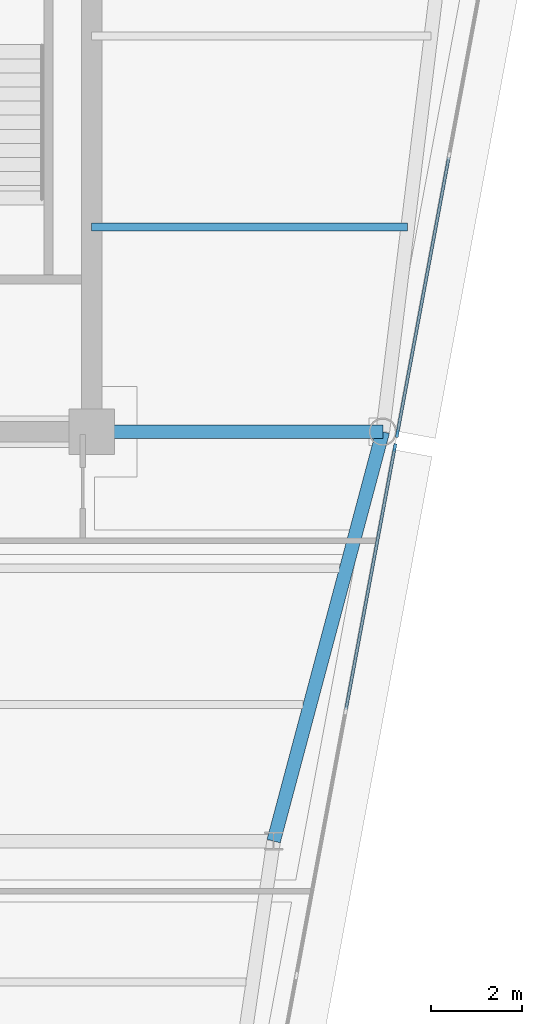
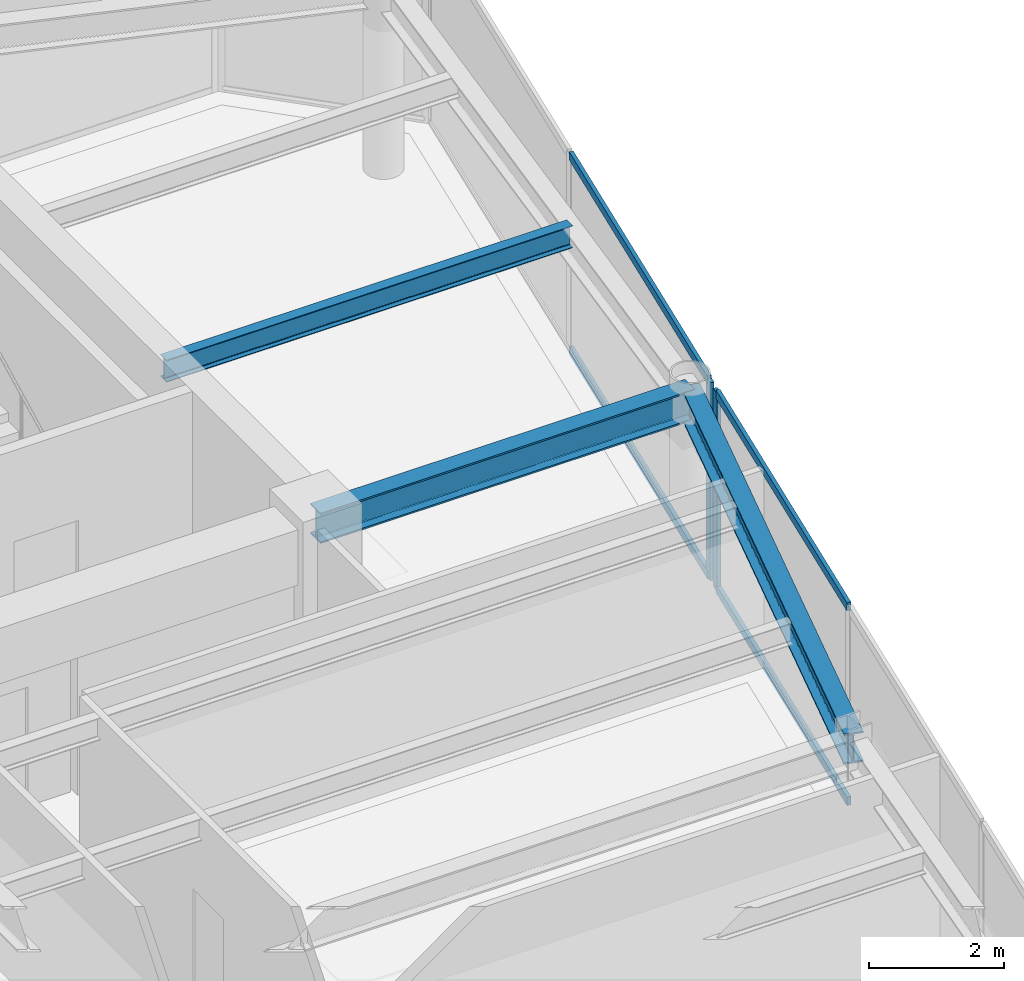
# One storey, part 6 of 19: 6 members, 3 beams, 2 elements without a shape of their own.
"""IFC4 building model written with IfcOpenShell, lengths in metres."""

from ifc_helpers import new_model, si_unit, direction, frame, origin, origin_2d, place, context, subcontext, project, spatial, rectangle, i_section, extrude, source, transform, mapped, material, layer, layer_set, material_profile, profile_set, type_object, element, aggregate, save


model = new_model("IFC4")

# Units and contexts
model_context = context("Model", 3, precision=1e-05, world=origin(), true_north=direction((0.0, 1.0)))
body_context = subcontext(model_context, "Body", "Model", "MODEL_VIEW")
ifc_project = project(units=[si_unit("LENGTHUNIT", "METRE"), si_unit("AREAUNIT", "SQUARE_METRE"), si_unit("VOLUMEUNIT", "CUBIC_METRE"), si_unit("PLANEANGLEUNIT", "RADIAN"), si_unit("MASSUNIT", "GRAM", prefix="KILO")], contexts=[model_context])

# Site, building, storey
site_placement = place(None, origin())
site = spatial("IfcSite", under=ifc_project, at=site_placement, CompositionType="ELEMENT")
building_placement = place(site_placement, origin())
building = spatial("IfcBuilding", under=site, at=building_placement, Name="Vaeldorn Concourse Tower", CompositionType="ELEMENT")
storey_placement = place(building_placement, frame((0.0, 0.0, 249.800048828125)))
storey = spatial("IfcBuildingStorey", under=building, at=storey_placement, Name="L64", CompositionType="ELEMENT", Elevation=249.800048828125)

# Beams
ifc_material_1 = material(Name="Steel S355", Category="steel")
ifc_material_profile_1 = material_profile(ifc_material_1, i_section(OverallWidth=0.179931640625, OverallDepth=0.39990234375, WebThickness=0.008544921875, FlangeThickness=0.013427734375, FilletRadius=0.02099609375, at=origin_2d()), Name="IPE 400")
ifc_profile_set_1 = profile_set([ifc_material_profile_1], Name="Steel S355")
beam_type_1 = type_object("IfcBeamType", Name="BM-JS-IPE400", PredefinedType="JOIST", material=ifc_profile_set_1)
shared_shape_1 = source(origin(), body_context, "Body", "SweptSolid", [
    extrude(i_section(OverallWidth=0.179931640625, OverallDepth=0.39990234375, WebThickness=0.008544921875, FlangeThickness=0.013427734375, FilletRadius=0.02099609375, at=origin_2d()), origin(), (0.0, 0.0, 1.0), 6.94775390625),
])
beam_1_placement = place(storey_placement, frame((54.0, 41.0, 3.3798828125), z_axis=(1.0, 0.0, 0.0), x_axis=(0.0, 1.0, 0.0)))
element("IfcBeam", 1, at=beam_1_placement, inside=storey, type_object=beam_type_1, Name="Beam JS-L64-NE-410", PredefinedType="JOIST", context=body_context, shape_type="MappedRepresentation", body=[
    mapped(shared_shape_1, transform((0.0, 0.0, 0.0), scale=1.0)),
])
ifc_material_profile_2 = material_profile(ifc_material_1, i_section(OverallWidth=0.300048828125, OverallDepth=0.550048828125, WebThickness=0.014892578125, FlangeThickness=0.029052734375, FilletRadius=0.027099609375, at=origin_2d()), Name="HEB 550")
ifc_profile_set_2 = profile_set([ifc_material_profile_2], Name="Steel S355")
beam_type_2 = type_object("IfcBeamType", Name="BM-PG-HEB550", PredefinedType="BEAM", material=ifc_profile_set_2)
shared_shape_2 = source(origin(), body_context, "Body", "SweptSolid", [
    extrude(i_section(OverallWidth=0.300048828125, OverallDepth=0.550048828125, WebThickness=0.014892578125, FlangeThickness=0.029052734375, FilletRadius=0.027099609375, at=origin_2d()), origin(), (0.0, 0.0, 1.0), 6.39990234375),
])
beam_2_placement = place(storey_placement, frame((54.0, 36.5, 3.304931640625), z_axis=(1.0, 0.0, 0.0), x_axis=(0.0, 1.0, 0.0)))
element("IfcBeam", 2, at=beam_2_placement, inside=storey, type_object=beam_type_2, Name="Beam BM-L64-C-FC6-C-NE2", PredefinedType="BEAM", context=body_context, shape_type="MappedRepresentation", body=[
    mapped(shared_shape_2, transform((0.0, 0.0, 0.0), scale=1.0)),
])
shared_shape_3 = source(origin(), body_context, "Body", "SweptSolid", [
    extrude(i_section(OverallWidth=0.300048828125, OverallDepth=0.550048828125, WebThickness=0.014892578125, FlangeThickness=0.029052734375, FilletRadius=0.027099609375, at=origin_2d()), origin(), (0.0, 0.0, 1.0), 9.314453125),
])
beam_3_placement = place(storey_placement, frame((60.39990234375, 36.5, 3.304931640625), z_axis=(-0.257652862255, -0.966237549763, 0.0), x_axis=(0.966237549763, -0.257652862255, 0.0)))
element("IfcBeam", 3, at=beam_3_placement, inside=storey, type_object=beam_type_2, Name="Beam BM-L64-C-NE2-C-FLE1", PredefinedType="BEAM", context=body_context, shape_type="MappedRepresentation", body=[
    mapped(shared_shape_3, transform((0.0, 0.0, 0.0), scale=1.0)),
])

# Curtain wall, member
ifc_material_2 = material(Name="Anodised Bronze Aluminium", Category="aluminium")
ifc_layer = layer(ifc_material_2, 0.179931640625)
ifc_layer_set = layer_set([ifc_layer], Name="Anodised Bronze Aluminium")
curtain_wall_type = type_object("IfcCurtainWallType", Name="CW-SYS-05", PredefinedType="NOTDEFINED", material=ifc_layer_set)
curtain_wall_1_placement = place(storey_placement, origin())
curtain_wall_1 = element("IfcCurtainWall", 4, at=curtain_wall_1_placement, inside=storey, type_object=curtain_wall_type, Name="Unitised Curtain Wall CW-L64-E07-1", PredefinedType="NOTDEFINED")
ifc_material_profile_3 = material_profile(ifc_material_2, rectangle(XDim=0.06494140625, YDim=0.169921875, at=origin_2d()), Name="CWM 65x170")
ifc_profile_set_3 = profile_set([ifc_material_profile_3], Name="Anodised Bronze Aluminium")
member_type_1 = type_object("IfcMemberType", Name="CWM-BRONZE-170", PredefinedType="MULLION", material=ifc_profile_set_3)
shared_shape_4 = source(origin(), body_context, "Body", "SweptSolid", [
    extrude(rectangle(XDim=0.06494140625, YDim=0.169921875, at=origin_2d()), origin(), (0.0, 0.0, 1.0), 3.579833984375),
])
member_1_placement = place(storey_placement, frame((60.663818359375, 36.153076171875, 0.0), z_axis=(0.0, 0.0, 1.0), x_axis=(-0.983102653673, 0.18305510739, 0.0)))
member_1 = element("IfcMember", 5, at=member_1_placement, type_object=member_type_1, Name="CW-05 mullion 5", PredefinedType="MULLION", context=body_context, shape_type="MappedRepresentation", body=[
    mapped(shared_shape_4, transform((0.0, 0.0, 0.0), scale=1.0)),
])

curtain_wall_2_placement = place(storey_placement, origin())
curtain_wall_2 = element("IfcCurtainWall", 6, at=curtain_wall_2_placement, inside=storey, type_object=curtain_wall_type, Name="Unitised Curtain Wall CW-L64-E07-2", PredefinedType="NOTDEFINED")
member_2_placement = place(storey_placement, frame((60.720947265625, 36.460205078125, 0.0), z_axis=(0.0, 0.0, 1.0), x_axis=(-0.983102768025, 0.183054493257, 0.0)))
member_2 = element("IfcMember", 7, at=member_2_placement, type_object=member_type_1, Name="CW-05 mullion 1", PredefinedType="MULLION", context=body_context, shape_type="MappedRepresentation", body=[
    mapped(shared_shape_4, transform((0.0, 0.0, 0.0), scale=1.0)),
])

# Member
ifc_material_profile_4 = material_profile(ifc_material_2, rectangle(XDim=0.06494140625, YDim=0.14990234375, at=origin_2d()), Name="CWT 65x150")
ifc_profile_set_4 = profile_set([ifc_material_profile_4], Name="Anodised Bronze Aluminium")
member_type_2 = type_object("IfcMemberType", Name="CWT-BRONZE-150", PredefinedType="USERDEFINED", material=ifc_profile_set_4)
shared_shape_5 = source(origin(), body_context, "Body", "SweptSolid", [
    extrude(rectangle(XDim=0.06494140625, YDim=0.14990234375, at=origin_2d()), origin(), (0.0, 0.0, 1.0), 5.82373046875),
])
member_3_placement = place(storey_placement, frame((59.591796875, 30.395751953125, 0.032470703125), z_axis=(0.183030414843, 0.983107251139, 0.0), x_axis=(-0.983107251139, 0.183030414843, 0.0)))
member_3 = element("IfcMember", 8, at=member_3_placement, type_object=member_type_2, Name="CW-05 transom 4.1", ObjectType="TRANSOM", PredefinedType="USERDEFINED", context=body_context, shape_type="MappedRepresentation", body=[
    mapped(shared_shape_5, transform((0.0, 0.0, 0.0), scale=1.0)),
])

member_4_placement = place(storey_placement, frame((59.591796875, 30.395751953125, 3.54736328125), z_axis=(0.183030414843, 0.983107251139, 0.0), x_axis=(-0.983107251139, 0.183030414843, 0.0)))
member_4 = element("IfcMember", 9, at=member_4_placement, type_object=member_type_2, Name="CW-05 transom 4.2", ObjectType="TRANSOM", PredefinedType="USERDEFINED", context=body_context, shape_type="MappedRepresentation", body=[
    mapped(shared_shape_5, transform((0.0, 0.0, 0.0), scale=1.0)),
])

aggregate(curtain_wall_1, [member_1, member_3, member_4])

shared_shape_6 = source(origin(), body_context, "Body", "SweptSolid", [
    extrude(rectangle(XDim=0.06494140625, YDim=0.14990234375, at=origin_2d()), origin(), (0.0, 0.0, 1.0), 6.143798828125),
])
member_5_placement = place(storey_placement, frame((60.726806640625, 36.4921875, 0.032470703125), z_axis=(0.183069583935, 0.983099958009, 0.0), x_axis=(-0.983099958009, 0.183069583935, 0.0)))
member_5 = element("IfcMember", 10, at=member_5_placement, type_object=member_type_2, Name="CW-05 transom 1.1", ObjectType="TRANSOM", PredefinedType="USERDEFINED", context=body_context, shape_type="MappedRepresentation", body=[
    mapped(shared_shape_6, transform((0.0, 0.0, 0.0), scale=1.0)),
])

member_6_placement = place(storey_placement, frame((60.726806640625, 36.4921875, 3.54736328125), z_axis=(0.183069583935, 0.983099958009, 0.0), x_axis=(-0.983099958009, 0.183069583935, 0.0)))
member_6 = element("IfcMember", 11, at=member_6_placement, type_object=member_type_2, Name="CW-05 transom 1.2", ObjectType="TRANSOM", PredefinedType="USERDEFINED", context=body_context, shape_type="MappedRepresentation", body=[
    mapped(shared_shape_6, transform((0.0, 0.0, 0.0), scale=1.0)),
])

aggregate(curtain_wall_2, [member_2, member_5, member_6])

save(model, "model.ifc")
